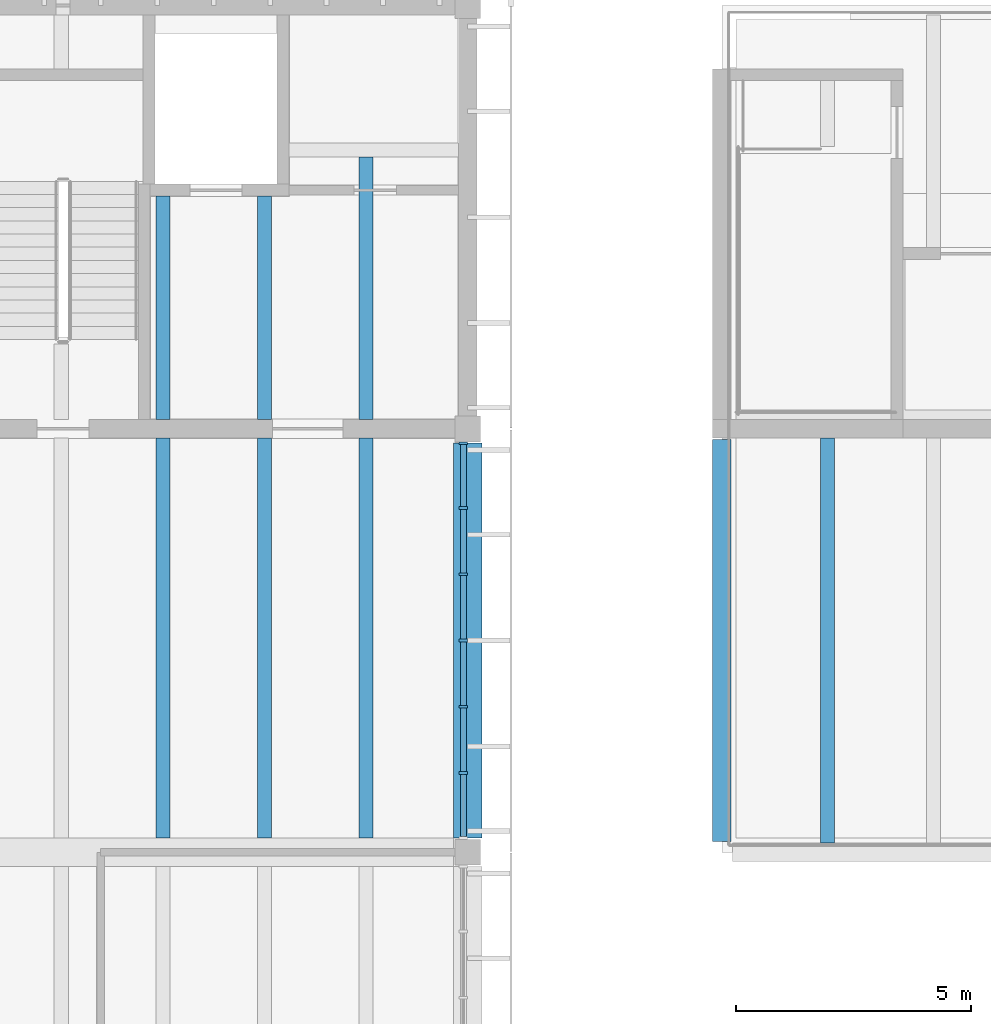
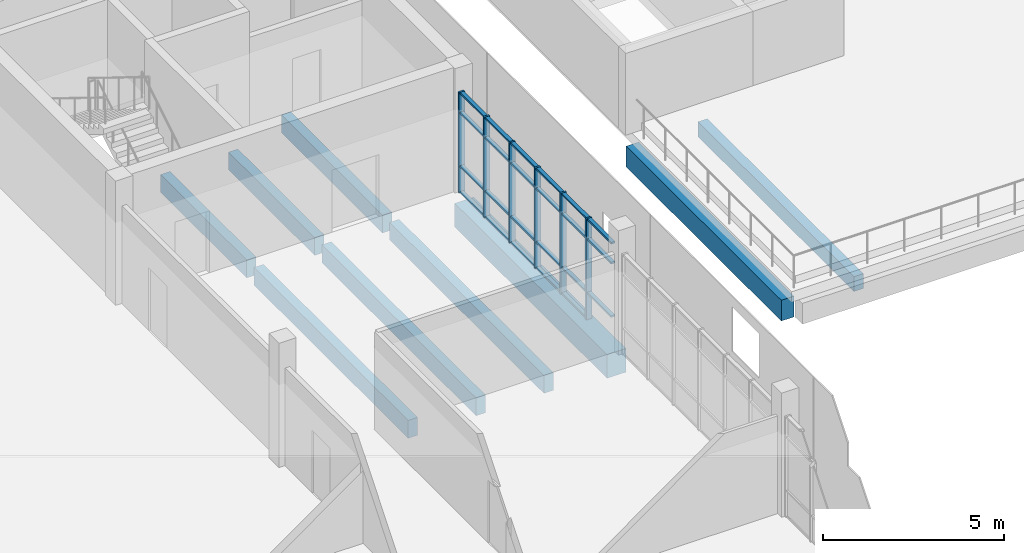
# One storey, part 20 of 74: 29 members, 9 beams, 1 element without a shape of its own.
"""IFC4 building model written with IfcOpenShell, lengths in metres."""

from ifc_helpers import new_model, si_unit, direction, frame, origin, origin_2d, place, context, subcontext, project, spatial, rectangle, extrude, material, material_profile, profile_set, type_object, element, aggregate, save


model = new_model("IFC4")

# Units and contexts
model_context = context("Model", 3, precision=1e-05, world=origin(), true_north=direction((0.0, 1.0)))
body_context = subcontext(model_context, "Body", "Model", "MODEL_VIEW")
ifc_project = project(units=[si_unit("LENGTHUNIT", "METRE"), si_unit("AREAUNIT", "SQUARE_METRE"), si_unit("VOLUMEUNIT", "CUBIC_METRE"), si_unit("PLANEANGLEUNIT", "RADIAN"), si_unit("MASSUNIT", "GRAM", prefix="KILO")], contexts=[model_context])

# Site, building, storey
site_placement = place(None, origin())
site = spatial("IfcSite", under=ifc_project, at=site_placement, CompositionType="ELEMENT")
building_placement = place(site_placement, origin())
building = spatial("IfcBuilding", under=site, at=building_placement, Name="Merrow Basin Faculty of Sciences", CompositionType="ELEMENT")
storey_placement = place(building_placement, frame((0.0, 0.0, 13.5)))
storey = spatial("IfcBuildingStorey", under=building, at=storey_placement, Name="L03", CompositionType="ELEMENT", Elevation=13.5)

# Curtain wall, members
ifc_material_1 = material(Name="Aluminium alloy 6063", Category="aluminium")
curtain_wall_type = type_object("IfcCurtainWallType", Name="Bar unitised curtain wall 180", PredefinedType="NOTDEFINED", material=ifc_material_1)
curtain_wall_placement = place(storey_placement, origin())
curtain_wall = element("IfcCurtainWall", 1, at=curtain_wall_placement, inside=storey, type_object=curtain_wall_type, Name="East curtain wall L03 6", PredefinedType="NOTDEFINED")
ifc_material_2 = material(Name="Aluminium alloy 6063", Category="aluminium")
ifc_material_profile_1 = material_profile(ifc_material_2, rectangle(XDim=0.179931640625, YDim=0.06005859375, at=origin_2d()))
ifc_profile_set_1 = profile_set([ifc_material_profile_1], Name="Aluminium alloy 6063")
member_type_1 = type_object("IfcMemberType", Name="Aluminium mullion 60x180", PredefinedType="MULLION", material=ifc_profile_set_1)
member_1_placement = place(storey_placement, frame((21.510009765625, 116.683349609375, 0.0), z_axis=(0.0, 0.0, 1.0), x_axis=(-1.0, 0.0, 0.0)))
member_1 = element("IfcMember", 2, at=member_1_placement, type_object=member_type_1, Name="CW1 mullion 2", PredefinedType="MULLION", context=body_context, shape_type="SweptSolid", body=[
    extrude(rectangle(XDim=0.179931640625, YDim=0.06005859375, at=origin_2d()), origin(), (0.0, 0.0, 1.0), 3.39990234375),
])
member_2_placement = place(storey_placement, frame((21.510009765625, 118.091552734375, 0.0), z_axis=(0.0, 0.0, 1.0), x_axis=(-1.0, 0.0, 0.0)))
member_2 = element("IfcMember", 3, at=member_2_placement, type_object=member_type_1, Name="CW1 mullion 3", PredefinedType="MULLION", context=body_context, shape_type="SweptSolid", body=[
    extrude(rectangle(XDim=0.179931640625, YDim=0.06005859375, at=origin_2d()), origin(), (0.0, 0.0, 1.0), 3.39990234375),
])
member_3_placement = place(storey_placement, frame((21.510009765625, 119.5, 0.0), z_axis=(0.0, 0.0, 1.0), x_axis=(-1.0, 0.0, 0.0)))
member_3 = element("IfcMember", 4, at=member_3_placement, type_object=member_type_1, Name="CW1 mullion 4", PredefinedType="MULLION", context=body_context, shape_type="SweptSolid", body=[
    extrude(rectangle(XDim=0.179931640625, YDim=0.06005859375, at=origin_2d()), origin(), (0.0, 0.0, 1.0), 3.39990234375),
])
member_4_placement = place(storey_placement, frame((21.510009765625, 120.908447265625, 0.0), z_axis=(0.0, 0.0, 1.0), x_axis=(-1.0, 0.0, 0.0)))
member_4 = element("IfcMember", 5, at=member_4_placement, type_object=member_type_1, Name="CW1 mullion 5", PredefinedType="MULLION", context=body_context, shape_type="SweptSolid", body=[
    extrude(rectangle(XDim=0.179931640625, YDim=0.06005859375, at=origin_2d()), origin(), (0.0, 0.0, 1.0), 3.39990234375),
])
member_5_placement = place(storey_placement, frame((21.510009765625, 122.316650390625, 0.0), z_axis=(0.0, 0.0, 1.0), x_axis=(-1.0, 0.0, 0.0)))
member_5 = element("IfcMember", 6, at=member_5_placement, type_object=member_type_1, Name="CW1 mullion 6", PredefinedType="MULLION", context=body_context, shape_type="SweptSolid", body=[
    extrude(rectangle(XDim=0.179931640625, YDim=0.06005859375, at=origin_2d()), origin(), (0.0, 0.0, 1.0), 3.39990234375),
])
member_6_placement = place(storey_placement, frame((21.510009765625, 123.695068359375, 0.0), z_axis=(0.0, 0.0, 1.0), x_axis=(-1.0, 0.0, 0.0)))
member_6 = element("IfcMember", 7, at=member_6_placement, type_object=member_type_1, Name="CW1 mullion 7", PredefinedType="MULLION", context=body_context, shape_type="SweptSolid", body=[
    extrude(rectangle(XDim=0.179931640625, YDim=0.06005859375, at=origin_2d()), origin(), (0.0, 0.0, 1.0), 3.39990234375),
])
ifc_material_3 = material(Name="Aluminium alloy 6063", Category="aluminium")
ifc_material_profile_2 = material_profile(ifc_material_3, rectangle(XDim=0.1201171875, YDim=0.06005859375, at=origin_2d()))
ifc_profile_set_2 = profile_set([ifc_material_profile_2], Name="Aluminium alloy 6063")
member_type_2 = type_object("IfcMemberType", Name="Aluminium transom 60x120", PredefinedType="USERDEFINED", material=ifc_profile_set_2)
member_7_placement = place(storey_placement, frame((21.510009765625, 115.3349609375, 0.89990234375), z_axis=(0.0, 1.0, 0.0), x_axis=(-1.0, 0.0, 0.0)))
member_7 = element("IfcMember", 8, at=member_7_placement, type_object=member_type_2, Name="CW1 transom 1.2", ObjectType="TRANSOM", PredefinedType="USERDEFINED", context=body_context, shape_type="SweptSolid", body=[
    extrude(rectangle(XDim=0.1201171875, YDim=0.06005859375, at=origin_2d()), origin(), (0.0, 0.0, 1.0), 1.318359375),
])
member_8_placement = place(storey_placement, frame((21.510009765625, 115.3349609375, 2.699951171875), z_axis=(0.0, 1.0, 0.0), x_axis=(-1.0, 0.0, 0.0)))
member_8 = element("IfcMember", 9, at=member_8_placement, type_object=member_type_2, Name="CW1 transom 1.3", ObjectType="TRANSOM", PredefinedType="USERDEFINED", context=body_context, shape_type="SweptSolid", body=[
    extrude(rectangle(XDim=0.1201171875, YDim=0.06005859375, at=origin_2d()), origin(), (0.0, 0.0, 1.0), 1.318359375),
])
member_9_placement = place(storey_placement, frame((21.510009765625, 115.3349609375, 3.3701171875), z_axis=(0.0, 1.0, 0.0), x_axis=(-1.0, 0.0, 0.0)))
member_9 = element("IfcMember", 10, at=member_9_placement, type_object=member_type_2, Name="CW1 transom 1.4", ObjectType="TRANSOM", PredefinedType="USERDEFINED", context=body_context, shape_type="SweptSolid", body=[
    extrude(rectangle(XDim=0.1201171875, YDim=0.06005859375, at=origin_2d()), origin(), (0.0, 0.0, 1.0), 1.318359375),
])
member_10_placement = place(storey_placement, frame((21.510009765625, 116.71337890625, 0.030029296875), z_axis=(0.0, 1.0, 0.0), x_axis=(-1.0, 0.0, 0.0)))
member_10 = element("IfcMember", 11, at=member_10_placement, type_object=member_type_2, Name="CW1 transom 2.1", ObjectType="TRANSOM", PredefinedType="USERDEFINED", context=body_context, shape_type="SweptSolid", body=[
    extrude(rectangle(XDim=0.1201171875, YDim=0.06005859375, at=origin_2d()), origin(), (0.0, 0.0, 1.0), 1.348388671875),
])
member_11_placement = place(storey_placement, frame((21.510009765625, 116.71337890625, 0.89990234375), z_axis=(0.0, 1.0, 0.0), x_axis=(-1.0, 0.0, 0.0)))
member_11 = element("IfcMember", 12, at=member_11_placement, type_object=member_type_2, Name="CW1 transom 2.2", ObjectType="TRANSOM", PredefinedType="USERDEFINED", context=body_context, shape_type="SweptSolid", body=[
    extrude(rectangle(XDim=0.1201171875, YDim=0.06005859375, at=origin_2d()), origin(), (0.0, 0.0, 1.0), 1.348388671875),
])
member_12_placement = place(storey_placement, frame((21.510009765625, 116.71337890625, 2.699951171875), z_axis=(0.0, 1.0, 0.0), x_axis=(-1.0, 0.0, 0.0)))
member_12 = element("IfcMember", 13, at=member_12_placement, type_object=member_type_2, Name="CW1 transom 2.3", ObjectType="TRANSOM", PredefinedType="USERDEFINED", context=body_context, shape_type="SweptSolid", body=[
    extrude(rectangle(XDim=0.1201171875, YDim=0.06005859375, at=origin_2d()), origin(), (0.0, 0.0, 1.0), 1.348388671875),
])
member_13_placement = place(storey_placement, frame((21.510009765625, 116.71337890625, 3.3701171875), z_axis=(0.0, 1.0, 0.0), x_axis=(-1.0, 0.0, 0.0)))
member_13 = element("IfcMember", 14, at=member_13_placement, type_object=member_type_2, Name="CW1 transom 2.4", ObjectType="TRANSOM", PredefinedType="USERDEFINED", context=body_context, shape_type="SweptSolid", body=[
    extrude(rectangle(XDim=0.1201171875, YDim=0.06005859375, at=origin_2d()), origin(), (0.0, 0.0, 1.0), 1.348388671875),
])
member_14_placement = place(storey_placement, frame((21.510009765625, 118.12158203125, 0.030029296875), z_axis=(0.0, 1.0, 0.0), x_axis=(-1.0, 0.0, 0.0)))
member_14 = element("IfcMember", 15, at=member_14_placement, type_object=member_type_2, Name="CW1 transom 3.1", ObjectType="TRANSOM", PredefinedType="USERDEFINED", context=body_context, shape_type="SweptSolid", body=[
    extrude(rectangle(XDim=0.1201171875, YDim=0.06005859375, at=origin_2d()), origin(), (0.0, 0.0, 1.0), 1.348388671875),
])
member_15_placement = place(storey_placement, frame((21.510009765625, 118.12158203125, 0.89990234375), z_axis=(0.0, 1.0, 0.0), x_axis=(-1.0, 0.0, 0.0)))
member_15 = element("IfcMember", 16, at=member_15_placement, type_object=member_type_2, Name="CW1 transom 3.2", ObjectType="TRANSOM", PredefinedType="USERDEFINED", context=body_context, shape_type="SweptSolid", body=[
    extrude(rectangle(XDim=0.1201171875, YDim=0.06005859375, at=origin_2d()), origin(), (0.0, 0.0, 1.0), 1.348388671875),
])
member_16_placement = place(storey_placement, frame((21.510009765625, 118.12158203125, 2.699951171875), z_axis=(0.0, 1.0, 0.0), x_axis=(-1.0, 0.0, 0.0)))
member_16 = element("IfcMember", 17, at=member_16_placement, type_object=member_type_2, Name="CW1 transom 3.3", ObjectType="TRANSOM", PredefinedType="USERDEFINED", context=body_context, shape_type="SweptSolid", body=[
    extrude(rectangle(XDim=0.1201171875, YDim=0.06005859375, at=origin_2d()), origin(), (0.0, 0.0, 1.0), 1.348388671875),
])
member_17_placement = place(storey_placement, frame((21.510009765625, 118.12158203125, 3.3701171875), z_axis=(0.0, 1.0, 0.0), x_axis=(-1.0, 0.0, 0.0)))
member_17 = element("IfcMember", 18, at=member_17_placement, type_object=member_type_2, Name="CW1 transom 3.4", ObjectType="TRANSOM", PredefinedType="USERDEFINED", context=body_context, shape_type="SweptSolid", body=[
    extrude(rectangle(XDim=0.1201171875, YDim=0.06005859375, at=origin_2d()), origin(), (0.0, 0.0, 1.0), 1.348388671875),
])
member_18_placement = place(storey_placement, frame((21.510009765625, 119.530029296875, 0.030029296875), z_axis=(0.0, 1.0, 0.0), x_axis=(-1.0, 0.0, 0.0)))
member_18 = element("IfcMember", 19, at=member_18_placement, type_object=member_type_2, Name="CW1 transom 4.1", ObjectType="TRANSOM", PredefinedType="USERDEFINED", context=body_context, shape_type="SweptSolid", body=[
    extrude(rectangle(XDim=0.1201171875, YDim=0.06005859375, at=origin_2d()), origin(), (0.0, 0.0, 1.0), 1.348388671875),
])
member_19_placement = place(storey_placement, frame((21.510009765625, 119.530029296875, 0.89990234375), z_axis=(0.0, 1.0, 0.0), x_axis=(-1.0, 0.0, 0.0)))
member_19 = element("IfcMember", 20, at=member_19_placement, type_object=member_type_2, Name="CW1 transom 4.2", ObjectType="TRANSOM", PredefinedType="USERDEFINED", context=body_context, shape_type="SweptSolid", body=[
    extrude(rectangle(XDim=0.1201171875, YDim=0.06005859375, at=origin_2d()), origin(), (0.0, 0.0, 1.0), 1.348388671875),
])
member_20_placement = place(storey_placement, frame((21.510009765625, 119.530029296875, 2.699951171875), z_axis=(0.0, 1.0, 0.0), x_axis=(-1.0, 0.0, 0.0)))
member_20 = element("IfcMember", 21, at=member_20_placement, type_object=member_type_2, Name="CW1 transom 4.3", ObjectType="TRANSOM", PredefinedType="USERDEFINED", context=body_context, shape_type="SweptSolid", body=[
    extrude(rectangle(XDim=0.1201171875, YDim=0.06005859375, at=origin_2d()), origin(), (0.0, 0.0, 1.0), 1.348388671875),
])
member_21_placement = place(storey_placement, frame((21.510009765625, 119.530029296875, 3.3701171875), z_axis=(0.0, 1.0, 0.0), x_axis=(-1.0, 0.0, 0.0)))
member_21 = element("IfcMember", 22, at=member_21_placement, type_object=member_type_2, Name="CW1 transom 4.4", ObjectType="TRANSOM", PredefinedType="USERDEFINED", context=body_context, shape_type="SweptSolid", body=[
    extrude(rectangle(XDim=0.1201171875, YDim=0.06005859375, at=origin_2d()), origin(), (0.0, 0.0, 1.0), 1.348388671875),
])
member_22_placement = place(storey_placement, frame((21.510009765625, 120.938232421875, 0.030029296875), z_axis=(0.0, 1.0, 0.0), x_axis=(-1.0, 0.0, 0.0)))
member_22 = element("IfcMember", 23, at=member_22_placement, type_object=member_type_2, Name="CW1 transom 5.1", ObjectType="TRANSOM", PredefinedType="USERDEFINED", context=body_context, shape_type="SweptSolid", body=[
    extrude(rectangle(XDim=0.1201171875, YDim=0.06005859375, at=origin_2d()), origin(), (0.0, 0.0, 1.0), 1.348388671875),
])
member_23_placement = place(storey_placement, frame((21.510009765625, 120.938232421875, 0.89990234375), z_axis=(0.0, 1.0, 0.0), x_axis=(-1.0, 0.0, 0.0)))
member_23 = element("IfcMember", 24, at=member_23_placement, type_object=member_type_2, Name="CW1 transom 5.2", ObjectType="TRANSOM", PredefinedType="USERDEFINED", context=body_context, shape_type="SweptSolid", body=[
    extrude(rectangle(XDim=0.1201171875, YDim=0.06005859375, at=origin_2d()), origin(), (0.0, 0.0, 1.0), 1.348388671875),
])
member_24_placement = place(storey_placement, frame((21.510009765625, 120.938232421875, 2.699951171875), z_axis=(0.0, 1.0, 0.0), x_axis=(-1.0, 0.0, 0.0)))
member_24 = element("IfcMember", 25, at=member_24_placement, type_object=member_type_2, Name="CW1 transom 5.3", ObjectType="TRANSOM", PredefinedType="USERDEFINED", context=body_context, shape_type="SweptSolid", body=[
    extrude(rectangle(XDim=0.1201171875, YDim=0.06005859375, at=origin_2d()), origin(), (0.0, 0.0, 1.0), 1.348388671875),
])
member_25_placement = place(storey_placement, frame((21.510009765625, 120.938232421875, 3.3701171875), z_axis=(0.0, 1.0, 0.0), x_axis=(-1.0, 0.0, 0.0)))
member_25 = element("IfcMember", 26, at=member_25_placement, type_object=member_type_2, Name="CW1 transom 5.4", ObjectType="TRANSOM", PredefinedType="USERDEFINED", context=body_context, shape_type="SweptSolid", body=[
    extrude(rectangle(XDim=0.1201171875, YDim=0.06005859375, at=origin_2d()), origin(), (0.0, 0.0, 1.0), 1.348388671875),
])
member_26_placement = place(storey_placement, frame((21.510009765625, 122.3466796875, 0.030029296875), z_axis=(0.0, 1.0, 0.0), x_axis=(-1.0, 0.0, 0.0)))
member_26 = element("IfcMember", 27, at=member_26_placement, type_object=member_type_2, Name="CW1 transom 6.1", ObjectType="TRANSOM", PredefinedType="USERDEFINED", context=body_context, shape_type="SweptSolid", body=[
    extrude(rectangle(XDim=0.1201171875, YDim=0.06005859375, at=origin_2d()), origin(), (0.0, 0.0, 1.0), 1.318359375),
])
member_27_placement = place(storey_placement, frame((21.510009765625, 122.3466796875, 0.89990234375), z_axis=(0.0, 1.0, 0.0), x_axis=(-1.0, 0.0, 0.0)))
member_27 = element("IfcMember", 28, at=member_27_placement, type_object=member_type_2, Name="CW1 transom 6.2", ObjectType="TRANSOM", PredefinedType="USERDEFINED", context=body_context, shape_type="SweptSolid", body=[
    extrude(rectangle(XDim=0.1201171875, YDim=0.06005859375, at=origin_2d()), origin(), (0.0, 0.0, 1.0), 1.318359375),
])
member_28_placement = place(storey_placement, frame((21.510009765625, 122.3466796875, 2.699951171875), z_axis=(0.0, 1.0, 0.0), x_axis=(-1.0, 0.0, 0.0)))
member_28 = element("IfcMember", 29, at=member_28_placement, type_object=member_type_2, Name="CW1 transom 6.3", ObjectType="TRANSOM", PredefinedType="USERDEFINED", context=body_context, shape_type="SweptSolid", body=[
    extrude(rectangle(XDim=0.1201171875, YDim=0.06005859375, at=origin_2d()), origin(), (0.0, 0.0, 1.0), 1.318359375),
])
member_29_placement = place(storey_placement, frame((21.510009765625, 122.3466796875, 3.3701171875), z_axis=(0.0, 1.0, 0.0), x_axis=(-1.0, 0.0, 0.0)))
member_29 = element("IfcMember", 30, at=member_29_placement, type_object=member_type_2, Name="CW1 transom 6.4", ObjectType="TRANSOM", PredefinedType="USERDEFINED", context=body_context, shape_type="SweptSolid", body=[
    extrude(rectangle(XDim=0.1201171875, YDim=0.06005859375, at=origin_2d()), origin(), (0.0, 0.0, 1.0), 1.318359375),
])
aggregate(curtain_wall, [member_1, member_2, member_3, member_4, member_5, member_6, member_7, member_8, member_9, member_10, member_11, member_12, member_13, member_14, member_15, member_16, member_17, member_18, member_19, member_20, member_21, member_22, member_23, member_24, member_25, member_26, member_27, member_28, member_29])

# Beams
ifc_material_4 = material(Name="Concrete C40/50", Category="concrete")
ifc_material_profile_3 = material_profile(ifc_material_4, rectangle(XDim=0.39990234375, YDim=0.699951171875, at=origin_2d()))
ifc_profile_set_3 = profile_set([ifc_material_profile_3], Name="Concrete C40/50")
beam_type_1 = type_object("IfcBeamType", Name="Beam RC400x700 C40/50", PredefinedType="BEAM", material=ifc_profile_set_3)
beam_1_placement = place(storey_placement, frame((27.0, 115.22509765625, -0.699951171875), z_axis=(0.0, 1.0, 0.0), x_axis=(-1.0, 0.0, 0.0)))
element("IfcBeam", 31, at=beam_1_placement, inside=storey, type_object=beam_type_1, Name="B3 L03 020", PredefinedType="BEAM", context=body_context, shape_type="SweptSolid", body=[
    extrude(rectangle(XDim=0.39990234375, YDim=0.699951171875, at=origin_2d()), origin(), (0.0, 0.0, 1.0), 8.5498046875),
])
ifc_material_5 = material(Name="Concrete C40/50", Category="concrete")
ifc_material_profile_4 = material_profile(ifc_material_5, rectangle(XDim=0.60009765625, YDim=0.800048828125, at=origin_2d()))
ifc_profile_set_4 = profile_set([ifc_material_profile_4], Name="Concrete C40/50")
beam_type_2 = type_object("IfcBeamType", Name="Beam RC600x800 C40/50", PredefinedType="BEAM", material=ifc_profile_set_4)
beam_2_placement = place(storey_placement, frame((21.60009765625, 115.300048828125, -0.699951171875), z_axis=(0.0, 1.0, 0.0), x_axis=(-1.0, 0.0, 0.0)))
element("IfcBeam", 32, at=beam_2_placement, inside=storey, type_object=beam_type_2, Name="B2 L03 033", PredefinedType="BEAM", context=body_context, shape_type="SweptSolid", body=[
    extrude(rectangle(XDim=0.60009765625, YDim=0.800048828125, at=origin_2d()), origin(), (0.0, 0.0, 1.0), 8.39990234375),
])
ifc_material_6 = material(Name="Concrete C40/50", Category="concrete")
ifc_material_profile_5 = material_profile(ifc_material_6, rectangle(XDim=0.300048828125, YDim=0.60009765625, at=origin_2d()))
ifc_profile_set_5 = profile_set([ifc_material_profile_5], Name="Concrete C40/50")
beam_type_3 = type_object("IfcBeamType", Name="Laboratory floor joist RC300x600 C40/50", PredefinedType="BEAM", material=ifc_profile_set_5)
for number, where, z_axis, x_axis, name in (
    (33, (15.1201171875, 115.300048828125, -0.60009765625), (0.0, 1.0, 0.0), (-1.0, 0.0, 0.0), "JL1 L03 094"),
    (34, (17.280029296875, 115.300048828125, -0.60009765625), (0.0, 1.0, 0.0), (-1.0, 0.0, 0.0), "JL1 L03 095"),
    (35, (19.43994140625, 115.300048828125, -0.60009765625), (0.0, 1.0, 0.0), (-1.0, 0.0, 0.0), "JL1 L03 096"),
):
    element("IfcBeam", number, at=place(storey_placement, frame(where, z_axis=z_axis, x_axis=x_axis)), inside=storey, type_object=beam_type_3, Name=name, PredefinedType="BEAM", context=body_context, shape_type="SweptSolid", body=[
        extrude(rectangle(XDim=0.300048828125, YDim=0.60009765625, at=origin_2d()), origin(), (0.0, 0.0, 1.0), 8.5),
    ])
for number, where, z_axis, x_axis, name in (
    (36, (15.1201171875, 124.199951171875, -0.60009765625), (0.0, 1.0, 0.0), (-1.0, 0.0, 0.0), "JL1 L03 099"),
    (37, (17.280029296875, 124.199951171875, -0.60009765625), (0.0, 1.0, 0.0), (-1.0, 0.0, 0.0), "JL1 L03 100"),
):
    element("IfcBeam", number, at=place(storey_placement, frame(where, z_axis=z_axis, x_axis=x_axis)), inside=storey, type_object=beam_type_3, Name=name, PredefinedType="BEAM", context=body_context, shape_type="SweptSolid", body=[
        extrude(rectangle(XDim=0.300048828125, YDim=0.60009765625, at=origin_2d()), origin(), (0.0, 0.0, 1.0), 4.75),
    ])
beam_3_placement = place(storey_placement, frame((19.43994140625, 124.199951171875, -0.60009765625), z_axis=(0.0, 1.0, 0.0), x_axis=(-1.0, 0.0, 0.0)))
element("IfcBeam", 38, at=beam_3_placement, inside=storey, type_object=beam_type_3, Name="JL1 L03 101", PredefinedType="BEAM", context=body_context, shape_type="SweptSolid", body=[
    extrude(rectangle(XDim=0.300048828125, YDim=0.60009765625, at=origin_2d()), origin(), (0.0, 0.0, 1.0), 5.574951171875),
])
ifc_material_7 = material(Name="Concrete C40/50", Category="concrete")
ifc_material_profile_6 = material_profile(ifc_material_7, rectangle(XDim=0.300048828125, YDim=0.5, at=origin_2d()))
ifc_profile_set_6 = profile_set([ifc_material_profile_6], Name="Concrete C40/50")
beam_type_4 = type_object("IfcBeamType", Name="Terrace roof joist RC300x500 C40/50", PredefinedType="BEAM", material=ifc_profile_set_6)
beam_4_placement = place(storey_placement, frame((29.25, 115.199951171875, -0.60009765625), z_axis=(0.0, 1.0, 0.0), x_axis=(-1.0, 0.0, 0.0)))
element("IfcBeam", 39, at=beam_4_placement, inside=storey, type_object=beam_type_4, Name="JD1 L03 053", PredefinedType="BEAM", context=body_context, shape_type="SweptSolid", body=[
    extrude(rectangle(XDim=0.300048828125, YDim=0.5, at=origin_2d()), origin(), (0.0, 0.0, 1.0), 8.60009765625),
])

save(model, "model.ifc")
